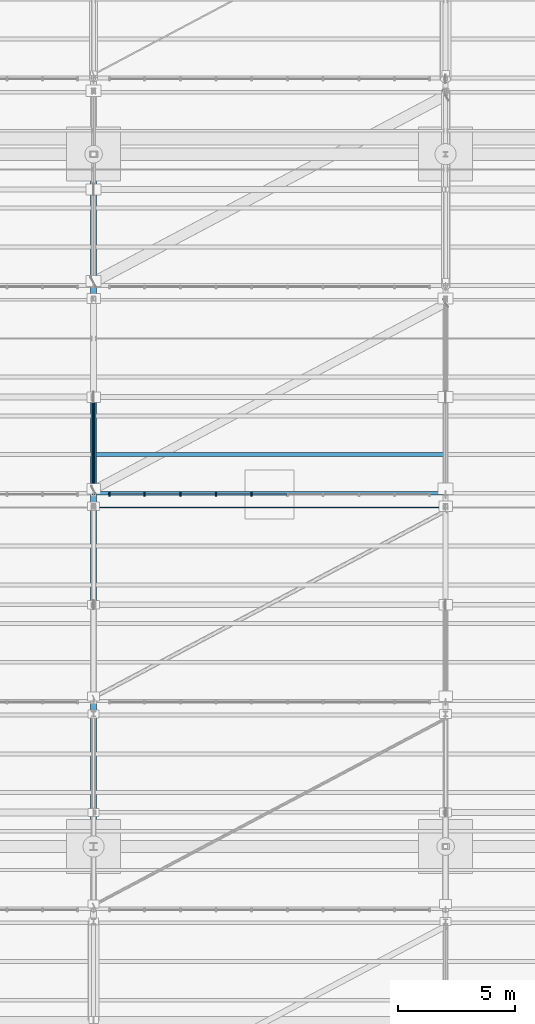
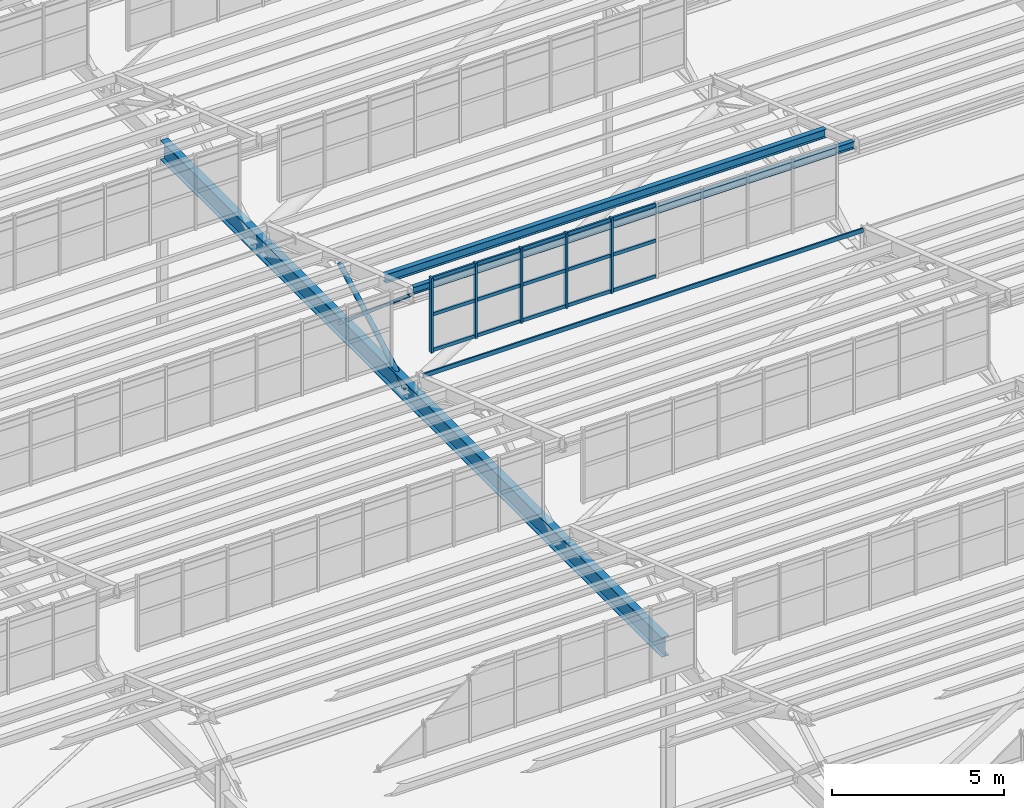
# One storey, part 103 of 285: 22 members, 4 beams, 1 element without a shape of its own.
"""IFC4 building model written with IfcOpenShell, lengths in metres."""

import ifcopenshell
import ifcopenshell.guid

model = None  # the IFC model being written
_history = None  # IfcOwnerHistory: only IFC2X3 demands one
_inside = {}  # id of a spatial element -> (the spatial element, [elements in it])
_under = {}  # id of a project, library or spatial element -> (it, [spatial elements below it])
_declared = {}  # id of a project -> (the project, [libraries it declares])
_typed = {}  # id of a type object -> (the type object, [elements of that type])
_made_of = {}  # id of a material, layer set ... -> (it, [elements and type objects made of it])


def new_model(schema):
    """Start an empty IFC model of exactly this schema.

    Asked for "IFC4X3", IfcOpenShell would pick the latest addendum, in which some entities
    have other attributes; the version numbers below select the first issue.
    IFC2X3 requires an IfcOwnerHistory on every rooted entity: one is made here for all.
    """
    global model, _history
    if schema == "IFC4X3":
        model = ifcopenshell.file(schema_version=(4, 3, 0, 0))
    else:
        model = ifcopenshell.file(schema=schema)
    _inside.clear()
    _under.clear()
    _declared.clear()
    _typed.clear()
    _made_of.clear()
    _history = None
    if model.schema == "IFC2X3":
        org = make("IfcOrganization", Name="unknown")
        user = make(
            "IfcPersonAndOrganization",
            ThePerson=make("IfcPerson", FamilyName="unknown"),
            TheOrganization=org,
        )
        app = make(
            "IfcApplication",
            ApplicationDeveloper=org,
            Version="unknown",
            ApplicationFullName="unknown",
            ApplicationIdentifier="unknown",
        )
        _history = make(
            "IfcOwnerHistory",
            OwningUser=user,
            OwningApplication=app,
            ChangeAction="ADDED",
            CreationDate=0,
        )
    return model


def make(cls, **values):
    """One entity of the class cls with the attributes given. An attribute that is None is left unset."""
    return model.create_entity(
        cls, **{name: value for name, value in values.items() if value is not None}
    )


def rooted(cls, **values):
    """An entity with a GlobalId (a new one), such as an element, a storey or a relation."""
    return make(cls, GlobalId=ifcopenshell.guid.new(), OwnerHistory=_history, **values)


def si_unit(unit_type, name, prefix=None):
    """IfcSIUnit, for example si_unit("LENGTHUNIT", "METRE", prefix="MILLI")."""
    return make("IfcSIUnit", UnitType=unit_type, Prefix=prefix, Name=name)


def assignment(units):
    """IfcUnitAssignment: the units of a project."""
    return None if units is None else make("IfcUnitAssignment", Units=units)


def point(xyz):
    """IfcCartesianPoint."""
    return None if xyz is None else make("IfcCartesianPoint", Coordinates=xyz)


def direction(xyz):
    """IfcDirection."""
    return None if xyz is None else make("IfcDirection", DirectionRatios=xyz)


def frame(location, z_axis=None, x_axis=None):
    """IfcAxis2Placement3D, a coordinate frame: its origin and axes. An axis left out is left unset."""
    return make(
        "IfcAxis2Placement3D",
        Location=point(location),
        Axis=direction(z_axis),
        RefDirection=direction(x_axis),
    )


def frame_2d(location, x_axis=None):
    """IfcAxis2Placement2D, a coordinate frame in the plane: its origin and x axis."""
    return make(
        "IfcAxis2Placement2D", Location=point(location), RefDirection=direction(x_axis)
    )


def origin():
    """The frame at (0, 0, 0) with its axes left unset."""
    return frame((0.0, 0.0, 0.0))


def origin_2d():
    """The frame at (0, 0) in the plane with its x axis left unset."""
    return frame_2d((0.0, 0.0))


def place(relative_to, where):
    """IfcLocalPlacement: puts the frame where relative to a parent placement (None: the world)."""
    return make(
        "IfcLocalPlacement", PlacementRelTo=relative_to, RelativePlacement=where
    )


def context(
    kind, dimensions, precision=None, world=None, true_north=None, identifier=None
):
    """IfcGeometricRepresentationContext, for example the 3D "Model" context."""
    return make(
        "IfcGeometricRepresentationContext",
        ContextIdentifier=identifier,
        ContextType=kind,
        CoordinateSpaceDimension=dimensions,
        Precision=precision,
        WorldCoordinateSystem=world,
        TrueNorth=true_north,
    )


def subcontext(parent, identifier, kind, view, scale=None):
    """IfcGeometricRepresentationSubContext, for example "Body" below "Model"."""
    return make(
        "IfcGeometricRepresentationSubContext",
        ContextIdentifier=identifier,
        ContextType=kind,
        ParentContext=parent,
        TargetScale=scale,
        TargetView=view,
    )


def project(units=None, contexts=None):
    """IfcProject with its units and contexts."""
    return rooted(
        "IfcProject",
        Name="project",
        RepresentationContexts=contexts,
        UnitsInContext=assignment(units),
    )


def spatial(cls, under=None, at=None, **own):
    """A site, building, storey or space (cls), placed at a placement, below another one or the project."""
    s = rooted(cls, ObjectPlacement=at, **own)
    if under is not None:
        _under.setdefault(under.id(), (under, []))[1].append(s)
    return s


def profile(cls, at=None, kind="AREA", **sizes):
    """A parametric profile (cls). Its sizes go by their IFC names, for example OverallWidth=200.0."""
    return make(cls, ProfileType=kind, Position=at, **sizes)


def rectangle(**sizes):
    """IfcRectangleProfileDef."""
    return profile("IfcRectangleProfileDef", **sizes)


def hollow_rectangle(**sizes):
    """IfcRectangleHollowProfileDef."""
    return profile("IfcRectangleHollowProfileDef", **sizes)


def hollow_circle(**sizes):
    """IfcCircleHollowProfileDef."""
    return profile("IfcCircleHollowProfileDef", **sizes)


def i_section(**sizes):
    """IfcIShapeProfileDef."""
    return profile("IfcIShapeProfileDef", **sizes)


def extrude(swept, where, along, depth):
    """IfcExtrudedAreaSolid: the profile swept, set in the frame where, extruded along a direction by depth."""
    return make(
        "IfcExtrudedAreaSolid",
        SweptArea=swept,
        Position=where,
        ExtrudedDirection=direction(along),
        Depth=depth,
    )


def shape(context_of_items, identifier, shape_type, items):
    """IfcShapeRepresentation: the items that make up one representation, for example the "Body"."""
    return make(
        "IfcShapeRepresentation",
        ContextOfItems=context_of_items,
        RepresentationIdentifier=identifier,
        RepresentationType=shape_type,
        Items=items,
    )


def material(Name=None, Category=None):
    """IfcMaterial."""
    return make("IfcMaterial", Name=Name, Category=Category)


def material_profile(
    of_material, cross_section, Name=None, Category=None, Priority=None
):
    """IfcMaterialProfile: a cross section and its material."""
    return make(
        "IfcMaterialProfile",
        Name=Name,
        Material=of_material,
        Profile=cross_section,
        Priority=Priority,
        Category=Category,
    )


def profile_set(profiles, Name=None, composite=None):
    """IfcMaterialProfileSet."""
    return make(
        "IfcMaterialProfileSet",
        Name=Name,
        MaterialProfiles=profiles,
        CompositeProfile=composite,
    )


def made_of(thing, what):
    """Note that an element or type object is made of a material, layer set ...; save() writes the relation."""
    if what is not None:
        _made_of.setdefault(what.id(), (what, []))[1].append(thing)
    return thing


def type_object(cls, material=None, **own):
    """A type object (cls), such as IfcWallType, which elements share."""
    return made_of(rooted(cls, **own), material)


def element(
    cls,
    number,
    at=None,
    inside=None,
    cuts=None,
    type_object=None,
    material=None,
    context=None,
    identifier="Body",
    shape_type=None,
    held_by="IfcProductDefinitionShape",
    body=None,
    shapes=None,
    **own,
):
    """One element of the class cls, such as IfcWall. Its Tag is "e" and its number.

    at: its placement. inside: the storey or other place that contains it. cuts: it is an
    opening in that element (IfcRelVoidsElement). A single representation is given by context,
    identifier, shape_type and body (its items); several are given by shapes. held_by: the class
    of the entity that holds the representations. save() writes the other relations.
    """
    e = rooted(cls, Tag="e%d" % number, ObjectPlacement=at, **own)
    if body is not None:
        shapes = [shape(context, identifier, shape_type, body)]
    if shapes is not None:
        e.Representation = make(held_by, Representations=shapes)
    if inside is not None:
        _inside.setdefault(inside.id(), (inside, []))[1].append(e)
    if cuts is not None:
        rooted(
            "IfcRelVoidsElement", RelatingBuildingElement=cuts, RelatedOpeningElement=e
        )
    if type_object is not None:
        _typed.setdefault(type_object.id(), (type_object, []))[1].append(e)
    return made_of(e, material)


def aggregate(whole, parts):
    """IfcRelAggregates: a whole, such as a stair, and the parts it consists of."""
    return rooted("IfcRelAggregates", RelatingObject=whole, RelatedObjects=parts)


def save(model, path):
    """Write the relations noted so far, then the file.

    IfcRelAggregates (storeys below a building ...), IfcRelContainedInSpatialStructure (elements
    in a storey), IfcRelDefinesByType, IfcRelAssociatesMaterial and IfcRelDeclares: one each for
    every whole, place, type object, material and project.
    """
    for whole, parts in _under.values():
        aggregate(whole, parts)
    for where, things in _inside.values():
        rooted(
            "IfcRelContainedInSpatialStructure",
            RelatedElements=things,
            RelatingStructure=where,
        )
    for kind, things in _typed.values():
        rooted("IfcRelDefinesByType", RelatedObjects=things, RelatingType=kind)
    for what, things in _made_of.values():
        rooted("IfcRelAssociatesMaterial", RelatedObjects=things, RelatingMaterial=what)
    for by, libraries in _declared.values():
        rooted("IfcRelDeclares", RelatingContext=by, RelatedDefinitions=libraries)
    model.write(path)


model = new_model("IFC4")

# Units and contexts
model_context = context("Model", 3, precision=1e-05, world=origin(), true_north=direction((0.0, 1.0)))
body_context = subcontext(model_context, "Body", "Model", "MODEL_VIEW")
ifc_project = project(units=[si_unit("LENGTHUNIT", "METRE"), si_unit("AREAUNIT", "SQUARE_METRE"), si_unit("VOLUMEUNIT", "CUBIC_METRE"), si_unit("PLANEANGLEUNIT", "RADIAN"), si_unit("MASSUNIT", "GRAM", prefix="KILO")], contexts=[model_context])

# Site, building, storey
site_placement = place(None, origin())
site = spatial("IfcSite", under=ifc_project, at=site_placement, CompositionType="ELEMENT")
building_placement = place(site_placement, origin())
building = spatial("IfcBuilding", under=site, at=building_placement, Name="Solanera Park Tramway Depot", CompositionType="ELEMENT")
storey_placement = place(building_placement, origin())
storey = spatial("IfcBuildingStorey", under=building, at=storey_placement, Name="L00", CompositionType="ELEMENT", Elevation=0.0)

# Curtain wall, members
ifc_material_1 = material(Name="Bronze-anodised thermally broken aluminium curtain wall", Category="aluminium")
curtain_wall_type = type_object("IfcCurtainWallType", Name="Sawtooth Clerestory Monitor Curtain Wall", PredefinedType="NOTDEFINED", material=ifc_material_1)
curtain_wall_placement = place(storey_placement, origin())
curtain_wall = element("IfcCurtainWall", 1, at=curtain_wall_placement, inside=storey, type_object=curtain_wall_type, Name="L00 Sawtooth Clerestory Monitor Curtain Wall #043", PredefinedType="NOTDEFINED")
ifc_material_2 = material(Name="Bronze-anodised structural aluminium 6063-T6", Category="aluminium")
ifc_material_profile_1 = material_profile(ifc_material_2, rectangle(XDim=0.06494140625, YDim=0.14990234375, at=origin_2d()), Name="Curtain Wall Mullion 65x150")
ifc_profile_set_1 = profile_set([ifc_material_profile_1], Name="Bronze-anodised structural aluminium 6063-T6")
member_type_1 = type_object("IfcMemberType", Name="Curtain Wall Mullion 65x150", PredefinedType="MULLION", material=ifc_profile_set_1)
member_1_placement = place(storey_placement, frame((120.6826171875, 100.0, 7.75), z_axis=(0.0, 0.0, 1.0), x_axis=(1.0, 0.0, 0.0)))
member_1 = element("IfcMember", 2, at=member_1_placement, type_object=member_type_1, Name="CW-L00-043 Mullion 1", PredefinedType="MULLION", context=body_context, shape_type="SweptSolid", body=[
    extrude(rectangle(XDim=0.06494140625, YDim=0.14990234375, at=origin_2d()), origin(), (0.0, 0.0, 1.0), 2.6611328125),
])
member_2_placement = place(storey_placement, frame((122.172119140625, 100.0, 7.75), z_axis=(0.0, 0.0, 1.0), x_axis=(1.0, 0.0, 0.0)))
member_2 = element("IfcMember", 3, at=member_2_placement, type_object=member_type_1, Name="CW-L00-043 Mullion 2", PredefinedType="MULLION", context=body_context, shape_type="SweptSolid", body=[
    extrude(rectangle(XDim=0.06494140625, YDim=0.14990234375, at=origin_2d()), origin(), (0.0, 0.0, 1.0), 2.6611328125),
])
member_3_placement = place(storey_placement, frame((123.6943359375, 100.0, 7.75), z_axis=(0.0, 0.0, 1.0), x_axis=(1.0, 0.0, 0.0)))
member_3 = element("IfcMember", 4, at=member_3_placement, type_object=member_type_1, Name="CW-L00-043 Mullion 3", PredefinedType="MULLION", context=body_context, shape_type="SweptSolid", body=[
    extrude(rectangle(XDim=0.06494140625, YDim=0.14990234375, at=origin_2d()), origin(), (0.0, 0.0, 1.0), 2.6611328125),
])
member_4_placement = place(storey_placement, frame((125.216796875, 100.0, 7.75), z_axis=(0.0, 0.0, 1.0), x_axis=(1.0, 0.0, 0.0)))
member_4 = element("IfcMember", 5, at=member_4_placement, type_object=member_type_1, Name="CW-L00-043 Mullion 4", PredefinedType="MULLION", context=body_context, shape_type="SweptSolid", body=[
    extrude(rectangle(XDim=0.06494140625, YDim=0.14990234375, at=origin_2d()), origin(), (0.0, 0.0, 1.0), 2.6611328125),
])
member_5_placement = place(storey_placement, frame((126.739013671875, 100.0, 7.75), z_axis=(0.0, 0.0, 1.0), x_axis=(1.0, 0.0, 0.0)))
member_5 = element("IfcMember", 6, at=member_5_placement, type_object=member_type_1, Name="CW-L00-043 Mullion 5", PredefinedType="MULLION", context=body_context, shape_type="SweptSolid", body=[
    extrude(rectangle(XDim=0.06494140625, YDim=0.14990234375, at=origin_2d()), origin(), (0.0, 0.0, 1.0), 2.6611328125),
])
ifc_material_3 = material(Name="Bronze-anodised structural aluminium 6063-T6", Category="aluminium")
ifc_material_profile_2 = material_profile(ifc_material_3, rectangle(XDim=0.06494140625, YDim=0.1201171875, at=origin_2d()), Name="Curtain Wall Transom 65x120")
ifc_profile_set_2 = profile_set([ifc_material_profile_2], Name="Bronze-anodised structural aluminium 6063-T6")
member_type_2 = type_object("IfcMemberType", Name="Curtain Wall Transom 65x120", PredefinedType="USERDEFINED", material=ifc_profile_set_2)
member_6_placement = place(storey_placement, frame((120.71044921875, 100.0, 7.81005859375), z_axis=(1.0, 0.0, 0.0), x_axis=(0.0, 1.0, 0.0)))
member_6 = element("IfcMember", 7, at=member_6_placement, type_object=member_type_2, Name="CW-L00-043 Transom R1.C1", ObjectType="TRANSOM", PredefinedType="USERDEFINED", context=body_context, shape_type="SweptSolid", body=[
    extrude(rectangle(XDim=0.06494140625, YDim=0.1201171875, at=origin_2d()), origin(), (0.0, 0.0, 1.0), 1.433837890625),
])
member_7_placement = place(storey_placement, frame((122.2001953125, 100.0, 7.81005859375), z_axis=(1.0, 0.0, 0.0), x_axis=(0.0, 1.0, 0.0)))
member_7 = element("IfcMember", 8, at=member_7_placement, type_object=member_type_2, Name="CW-L00-043 Transom R1.C2", ObjectType="TRANSOM", PredefinedType="USERDEFINED", context=body_context, shape_type="SweptSolid", body=[
    extrude(rectangle(XDim=0.06494140625, YDim=0.1201171875, at=origin_2d()), origin(), (0.0, 0.0, 1.0), 1.46630859375),
])
member_8_placement = place(storey_placement, frame((123.722412109375, 100.0, 7.81005859375), z_axis=(1.0, 0.0, 0.0), x_axis=(0.0, 1.0, 0.0)))
member_8 = element("IfcMember", 9, at=member_8_placement, type_object=member_type_2, Name="CW-L00-043 Transom R1.C3", ObjectType="TRANSOM", PredefinedType="USERDEFINED", context=body_context, shape_type="SweptSolid", body=[
    extrude(rectangle(XDim=0.06494140625, YDim=0.1201171875, at=origin_2d()), origin(), (0.0, 0.0, 1.0), 1.46630859375),
])
member_9_placement = place(storey_placement, frame((125.24462890625, 100.0, 7.81005859375), z_axis=(1.0, 0.0, 0.0), x_axis=(0.0, 1.0, 0.0)))
member_9 = element("IfcMember", 10, at=member_9_placement, type_object=member_type_2, Name="CW-L00-043 Transom R1.C4", ObjectType="TRANSOM", PredefinedType="USERDEFINED", context=body_context, shape_type="SweptSolid", body=[
    extrude(rectangle(XDim=0.06494140625, YDim=0.1201171875, at=origin_2d()), origin(), (0.0, 0.0, 1.0), 1.46630859375),
])
member_10_placement = place(storey_placement, frame((126.766845703125, 100.0, 7.81005859375), z_axis=(1.0, 0.0, 0.0), x_axis=(0.0, 1.0, 0.0)))
member_10 = element("IfcMember", 11, at=member_10_placement, type_object=member_type_2, Name="CW-L00-043 Transom R1.C5", ObjectType="TRANSOM", PredefinedType="USERDEFINED", context=body_context, shape_type="SweptSolid", body=[
    extrude(rectangle(XDim=0.06494140625, YDim=0.1201171875, at=origin_2d()), origin(), (0.0, 0.0, 1.0), 1.46630859375),
])
member_11_placement = place(storey_placement, frame((120.71044921875, 100.0, 9.08056640625), z_axis=(1.0, 0.0, 0.0), x_axis=(0.0, 1.0, 0.0)))
member_11 = element("IfcMember", 12, at=member_11_placement, type_object=member_type_2, Name="CW-L00-043 Transom R2.C1", ObjectType="TRANSOM", PredefinedType="USERDEFINED", context=body_context, shape_type="SweptSolid", body=[
    extrude(rectangle(XDim=0.06494140625, YDim=0.1201171875, at=origin_2d()), origin(), (0.0, 0.0, 1.0), 1.433837890625),
])
member_12_placement = place(storey_placement, frame((122.2001953125, 100.0, 9.08056640625), z_axis=(1.0, 0.0, 0.0), x_axis=(0.0, 1.0, 0.0)))
member_12 = element("IfcMember", 13, at=member_12_placement, type_object=member_type_2, Name="CW-L00-043 Transom R2.C2", ObjectType="TRANSOM", PredefinedType="USERDEFINED", context=body_context, shape_type="SweptSolid", body=[
    extrude(rectangle(XDim=0.06494140625, YDim=0.1201171875, at=origin_2d()), origin(), (0.0, 0.0, 1.0), 1.46630859375),
])
member_13_placement = place(storey_placement, frame((123.722412109375, 100.0, 9.08056640625), z_axis=(1.0, 0.0, 0.0), x_axis=(0.0, 1.0, 0.0)))
member_13 = element("IfcMember", 14, at=member_13_placement, type_object=member_type_2, Name="CW-L00-043 Transom R2.C3", ObjectType="TRANSOM", PredefinedType="USERDEFINED", context=body_context, shape_type="SweptSolid", body=[
    extrude(rectangle(XDim=0.06494140625, YDim=0.1201171875, at=origin_2d()), origin(), (0.0, 0.0, 1.0), 1.46630859375),
])
member_14_placement = place(storey_placement, frame((125.24462890625, 100.0, 9.08056640625), z_axis=(1.0, 0.0, 0.0), x_axis=(0.0, 1.0, 0.0)))
member_14 = element("IfcMember", 15, at=member_14_placement, type_object=member_type_2, Name="CW-L00-043 Transom R2.C4", ObjectType="TRANSOM", PredefinedType="USERDEFINED", context=body_context, shape_type="SweptSolid", body=[
    extrude(rectangle(XDim=0.06494140625, YDim=0.1201171875, at=origin_2d()), origin(), (0.0, 0.0, 1.0), 1.46630859375),
])
member_15_placement = place(storey_placement, frame((126.766845703125, 100.0, 9.08056640625), z_axis=(1.0, 0.0, 0.0), x_axis=(0.0, 1.0, 0.0)))
member_15 = element("IfcMember", 16, at=member_15_placement, type_object=member_type_2, Name="CW-L00-043 Transom R2.C5", ObjectType="TRANSOM", PredefinedType="USERDEFINED", context=body_context, shape_type="SweptSolid", body=[
    extrude(rectangle(XDim=0.06494140625, YDim=0.1201171875, at=origin_2d()), origin(), (0.0, 0.0, 1.0), 1.46630859375),
])
member_16_placement = place(storey_placement, frame((120.71044921875, 100.0, 10.351318359375), z_axis=(1.0, 0.0, 0.0), x_axis=(0.0, 1.0, 0.0)))
member_16 = element("IfcMember", 17, at=member_16_placement, type_object=member_type_2, Name="CW-L00-043 Transom R3.C1", ObjectType="TRANSOM", PredefinedType="USERDEFINED", context=body_context, shape_type="SweptSolid", body=[
    extrude(rectangle(XDim=0.06494140625, YDim=0.1201171875, at=origin_2d()), origin(), (0.0, 0.0, 1.0), 1.433837890625),
])
member_17_placement = place(storey_placement, frame((122.2001953125, 100.0, 10.351318359375), z_axis=(1.0, 0.0, 0.0), x_axis=(0.0, 1.0, 0.0)))
member_17 = element("IfcMember", 18, at=member_17_placement, type_object=member_type_2, Name="CW-L00-043 Transom R3.C2", ObjectType="TRANSOM", PredefinedType="USERDEFINED", context=body_context, shape_type="SweptSolid", body=[
    extrude(rectangle(XDim=0.06494140625, YDim=0.1201171875, at=origin_2d()), origin(), (0.0, 0.0, 1.0), 1.46630859375),
])
member_18_placement = place(storey_placement, frame((123.722412109375, 100.0, 10.351318359375), z_axis=(1.0, 0.0, 0.0), x_axis=(0.0, 1.0, 0.0)))
member_18 = element("IfcMember", 19, at=member_18_placement, type_object=member_type_2, Name="CW-L00-043 Transom R3.C3", ObjectType="TRANSOM", PredefinedType="USERDEFINED", context=body_context, shape_type="SweptSolid", body=[
    extrude(rectangle(XDim=0.06494140625, YDim=0.1201171875, at=origin_2d()), origin(), (0.0, 0.0, 1.0), 1.46630859375),
])
member_19_placement = place(storey_placement, frame((125.24462890625, 100.0, 10.351318359375), z_axis=(1.0, 0.0, 0.0), x_axis=(0.0, 1.0, 0.0)))
member_19 = element("IfcMember", 20, at=member_19_placement, type_object=member_type_2, Name="CW-L00-043 Transom R3.C4", ObjectType="TRANSOM", PredefinedType="USERDEFINED", context=body_context, shape_type="SweptSolid", body=[
    extrude(rectangle(XDim=0.06494140625, YDim=0.1201171875, at=origin_2d()), origin(), (0.0, 0.0, 1.0), 1.46630859375),
])
member_20_placement = place(storey_placement, frame((126.766845703125, 100.0, 10.351318359375), z_axis=(1.0, 0.0, 0.0), x_axis=(0.0, 1.0, 0.0)))
member_20 = element("IfcMember", 21, at=member_20_placement, type_object=member_type_2, Name="CW-L00-043 Transom R3.C5", ObjectType="TRANSOM", PredefinedType="USERDEFINED", context=body_context, shape_type="SweptSolid", body=[
    extrude(rectangle(XDim=0.06494140625, YDim=0.1201171875, at=origin_2d()), origin(), (0.0, 0.0, 1.0), 1.46630859375),
])
aggregate(curtain_wall, [member_1, member_2, member_3, member_4, member_5, member_6, member_7, member_8, member_9, member_10, member_11, member_12, member_13, member_14, member_15, member_16, member_17, member_18, member_19, member_20])

# Member
ifc_material_4 = material(Name="Steel AS/NZS 1163 Grade C350L0", Category="steel")
ifc_material_profile_3 = material_profile(ifc_material_4, hollow_circle(Radius=0.084228515625, WallThickness=0.00634765625, at=origin_2d()), Name="168.3x6.4 CHS")
ifc_profile_set_3 = profile_set([ifc_material_profile_3], Name="Steel AS/NZS 1163 Grade C350L0")
member_type_3 = type_object("IfcMemberType", Name="Roof Gantry Compression Strut 168.3x6.4 CHS", PredefinedType="STRUT", material=ifc_profile_set_3)
member_21_placement = place(storey_placement, frame((120.0, 100.25, 6.5), z_axis=(0.0, 0.877666599941, 0.479271675929), x_axis=(-1.0, 0.0, 0.0)))
element("IfcMember", 22, at=member_21_placement, inside=storey, type_object=member_type_3, Name="Sawtooth ROOF TRUSS Strut 168.3x6.4 CHS #0252", PredefinedType="STRUT", context=body_context, shape_type="SweptSolid", body=[
    extrude(hollow_circle(Radius=0.084228515625, WallThickness=0.00634765625, at=origin_2d()), origin(), (0.0, 0.0, 1.0), 4.443603515625),
])

# Beams
ifc_material_5 = material(Name="Steel AS/NZS 3679.1 Grade 350", Category="steel")
ifc_material_profile_4 = material_profile(ifc_material_5, i_section(OverallWidth=0.25, OverallDepth=0.699951171875, WebThickness=0.010009765625, FlangeThickness=0.02001953125, at=origin_2d()), Name="700WB130")
ifc_profile_set_4 = profile_set([ifc_material_profile_4], Name="Steel AS/NZS 3679.1 Grade 350")
beam_type_1 = type_object("IfcBeamType", Name="Steel Beam 700WB130", PredefinedType="BEAM", material=ifc_profile_set_4)
beam_1_placement = place(storey_placement, frame((120.0, 85.1552734375, 6.5), z_axis=(0.0, 1.0, 0.0), x_axis=(-1.0, 0.0, 0.0)))
element("IfcBeam", 23, at=beam_1_placement, inside=storey, type_object=beam_type_1, Name="Sawtooth ROOF TRUSS Bottom Chord 700WB130 #0392", PredefinedType="BEAM", context=body_context, shape_type="SweptSolid", body=[
    extrude(i_section(OverallWidth=0.25, OverallDepth=0.699951171875, WebThickness=0.010009765625, FlangeThickness=0.02001953125, at=origin_2d()), origin(), (0.0, 0.0, 1.0), 29.2197265625),
])
ifc_material_6 = material(Name="Steel AS/NZS 1163 Grade C350L0", Category="steel")
ifc_material_profile_5 = material_profile(ifc_material_6, hollow_rectangle(XDim=0.050048828125, YDim=0.14990234375, WallThickness=0.0048828125, at=origin_2d()), Name="150x50x5.0 RHS")
ifc_profile_set_5 = profile_set([ifc_material_profile_5], Name="Steel AS/NZS 1163 Grade C350L0")
beam_type_2 = type_object("IfcBeamType", Name="Steel Joist Purlin 150x50x5.0 RHS", PredefinedType="JOIST", material=ifc_profile_set_5)
beam_2_placement = place(storey_placement, frame((120.087158203125, 99.449951171875, 7.4462890625), z_axis=(1.0, 0.0, 0.0), x_axis=(0.0, 1.0, 0.0)))
element("IfcBeam", 24, at=beam_2_placement, inside=storey, type_object=beam_type_2, Name="Sawtooth Roof Purlin 150x50x5.0 RHS B05.6", PredefinedType="JOIST", context=body_context, shape_type="SweptSolid", body=[
    extrude(hollow_rectangle(XDim=0.050048828125, YDim=0.14990234375, WallThickness=0.0048828125, at=origin_2d()), origin(), (0.0, 0.0, 1.0), 14.816162109375),
])
ifc_material_7 = material(Name="Steel AS/NZS 3679.1 Grade 350", Category="steel")
ifc_material_profile_6 = material_profile(ifc_material_7, i_section(OverallWidth=0.146484375, OverallDepth=0.256103515625, WebThickness=0.00634765625, FlangeThickness=0.010986328125, at=origin_2d()), Name="250UB37.3")
ifc_profile_set_6 = profile_set([ifc_material_profile_6], Name="Steel AS/NZS 3679.1 Grade 350")
beam_type_3 = type_object("IfcBeamType", Name="Steel Joist Purlin 250UB37.3", PredefinedType="JOIST", material=ifc_profile_set_6)
beam_3_placement = place(storey_placement, frame((120.0966796875, 100.050048828125, 10.137451171875), z_axis=(1.0, 0.0, 0.0), x_axis=(0.0, 1.0, 0.0)))
element("IfcBeam", 25, at=beam_3_placement, inside=storey, type_object=beam_type_3, Name="Sawtooth Roof Purlin 250UB37.3 B06.1", PredefinedType="JOIST", context=body_context, shape_type="SweptSolid", body=[
    extrude(i_section(OverallWidth=0.146484375, OverallDepth=0.256103515625, WebThickness=0.00634765625, FlangeThickness=0.010986328125, at=origin_2d()), origin(), (0.0, 0.0, 1.0), 14.828369140625),
])
ifc_material_8 = material(Name="Steel AS/NZS 3679.1 Grade 350", Category="steel")
ifc_material_profile_7 = material_profile(ifc_material_8, i_section(OverallWidth=0.1650390625, OverallDepth=0.3037109375, WebThickness=0.006103515625, FlangeThickness=0.01025390625, at=origin_2d()), Name="310UB40.4")
ifc_profile_set_7 = profile_set([ifc_material_profile_7], Name="Steel AS/NZS 3679.1 Grade 350")
beam_type_4 = type_object("IfcBeamType", Name="Steel Joist Purlin 310UB40.4", PredefinedType="JOIST", material=ifc_profile_set_7)
beam_4_placement = place(storey_placement, frame((120.0966796875, 101.699951171875, 9.55859375), z_axis=(1.0, 0.0, 0.0), x_axis=(0.0, 1.0, 0.0)))
element("IfcBeam", 26, at=beam_4_placement, inside=storey, type_object=beam_type_4, Name="Sawtooth Roof Purlin 310UB40.4 B06.2", PredefinedType="JOIST", context=body_context, shape_type="SweptSolid", body=[
    extrude(i_section(OverallWidth=0.1650390625, OverallDepth=0.3037109375, WebThickness=0.006103515625, FlangeThickness=0.01025390625, at=origin_2d()), origin(), (0.0, 0.0, 1.0), 14.828369140625),
])

# Member
ifc_material_9 = material(Name="Steel AS/NZS 1163 Grade C350L0", Category="steel")
ifc_material_profile_8 = material_profile(ifc_material_9, hollow_circle(Radius=0.05712890625, WallThickness=0.0048828125, at=origin_2d()), Name="114.3x4.8 CHS")
ifc_profile_set_8 = profile_set([ifc_material_profile_8], Name="Steel AS/NZS 1163 Grade C350L0")
member_type_4 = type_object("IfcMemberType", Name="Truss and Frame Brace 114.3x4.8 CHS", PredefinedType="BRACE", material=ifc_profile_set_8)
member_22_placement = place(storey_placement, frame((120.0, 104.14990234375, 6.5), z_axis=(0.0, -0.762764662408, 0.646676170724), x_axis=(1.0, 0.0, 0.0)))
element("IfcMember", 27, at=member_22_placement, inside=storey, type_object=member_type_4, Name="Sawtooth ROOF TRUSS Web Brace 114.3x4.8 CHS #0250", PredefinedType="BRACE", context=body_context, shape_type="SweptSolid", body=[
    extrude(hollow_circle(Radius=0.05712890625, WallThickness=0.0048828125, at=origin_2d()), origin(), (0.0, 0.0, 1.0), 5.440673828125),
])

save(model, "model.ifc")
